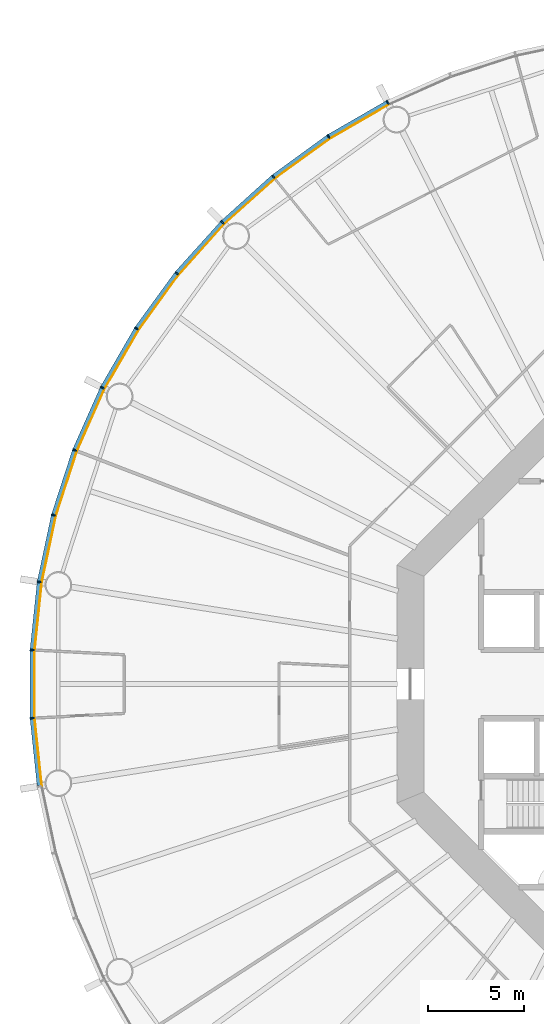
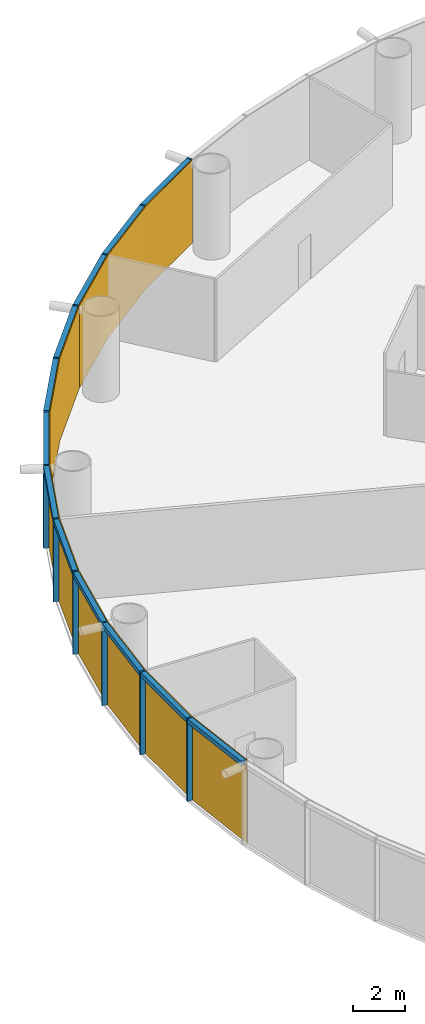
# One storey, part 9 of 13: 24 members, 4 curtain walls.
"""IFC4 building model written with IfcOpenShell, lengths in metres."""

from ifc_helpers import new_model, si_unit, direction, frame, origin, origin_2d, place, context, subcontext, project, spatial, polyline, rectangle, outline, extrude, material, layer, layer_set, material_profile, profile_set, type_object, element, aggregate, save


model = new_model("IFC4")

# Units and contexts
model_context = context("Model", 3, precision=1e-05, world=origin(), true_north=direction((0.0, 1.0)))
body_context = subcontext(model_context, "Body", "Model", "MODEL_VIEW")
ifc_project = project(units=[si_unit("LENGTHUNIT", "METRE"), si_unit("AREAUNIT", "SQUARE_METRE"), si_unit("VOLUMEUNIT", "CUBIC_METRE"), si_unit("PLANEANGLEUNIT", "RADIAN"), si_unit("MASSUNIT", "GRAM", prefix="KILO")], contexts=[model_context])

# Member
ifc_material_1 = material(Name="Anodised aluminium", Category="aluminium")
ifc_material_profile_1 = material_profile(ifc_material_1, rectangle(XDim=0.074951171875, YDim=0.219970703125, at=origin_2d()), Name="Mullion 75 x 220 mm anodised aluminium")
ifc_profile_set_1 = profile_set([ifc_material_profile_1], Name="Anodised aluminium")
member_type_1 = type_object("IfcMemberType", Name="Mullion 75 x 220 mm anodised aluminium", PredefinedType="MULLION", material=ifc_profile_set_1)
site_placement = place(None, origin())
building_placement = place(site_placement, origin())
storey_placement = place(building_placement, frame((0.0, 0.0, 34.0)))
member_1_placement = place(storey_placement, frame((74.514404296875, 110.392333984375, 0.0), z_axis=(0.0, 0.0, 1.0), x_axis=(-0.891006524188, -0.45399049974, 0.0)))
member_1 = element("IfcMember", 1, at=member_1_placement, type_object=member_type_1, Name="MULLION L06-18", PredefinedType="MULLION", context=body_context, shape_type="SweptSolid", body=[
    extrude(rectangle(XDim=0.074951171875, YDim=0.219970703125, at=origin_2d()), origin(), (0.0, 0.0, 1.0), 3.85009765625),
])

member_2_placement = place(storey_placement, frame((71.42236328125, 108.60693359375, 0.0), z_axis=(0.0, 0.0, 1.0), x_axis=(-0.838670567945, -0.544639035015, 0.0)))
member_2 = element("IfcMember", 2, at=member_2_placement, type_object=member_type_1, Name="MULLION L06-19", PredefinedType="MULLION", context=body_context, shape_type="SweptSolid", body=[
    extrude(rectangle(XDim=0.074951171875, YDim=0.219970703125, at=origin_2d()), origin(), (0.0, 0.0, 1.0), 3.85009765625),
])

member_3_placement = place(storey_placement, frame((68.533935546875, 106.508544921875, 0.0), z_axis=(0.0, 0.0, 1.0), x_axis=(-0.777145961457, -0.62932039105, 0.0)))
member_3 = element("IfcMember", 3, at=member_3_placement, type_object=member_type_1, Name="MULLION L06-20", PredefinedType="MULLION", context=body_context, shape_type="SweptSolid", body=[
    extrude(rectangle(XDim=0.074951171875, YDim=0.219970703125, at=origin_2d()), origin(), (0.0, 0.0, 1.0), 3.85009765625),
])

member_4_placement = place(storey_placement, frame((65.880615234375, 104.119384765625, 0.0), z_axis=(0.0, 0.0, 1.0), x_axis=(-0.707106781187, -0.707106781187, 0.0)))
member_4 = element("IfcMember", 4, at=member_4_placement, type_object=member_type_1, Name="MULLION L06-21", PredefinedType="MULLION", context=body_context, shape_type="SweptSolid", body=[
    extrude(rectangle(XDim=0.074951171875, YDim=0.219970703125, at=origin_2d()), origin(), (0.0, 0.0, 1.0), 3.85009765625),
])

member_5_placement = place(storey_placement, frame((63.491455078125, 101.466064453125, 0.0), z_axis=(0.0, 0.0, 1.0), x_axis=(-0.62932039105, -0.777145961457, 0.0)))
member_5 = element("IfcMember", 5, at=member_5_placement, type_object=member_type_1, Name="MULLION L06-22", PredefinedType="MULLION", context=body_context, shape_type="SweptSolid", body=[
    extrude(rectangle(XDim=0.074951171875, YDim=0.219970703125, at=origin_2d()), origin(), (0.0, 0.0, 1.0), 3.85009765625),
])

member_6_placement = place(storey_placement, frame((61.39306640625, 98.57763671875, 0.0), z_axis=(0.0, 0.0, 1.0), x_axis=(-0.544639035015, -0.838670567945, 0.0)))
member_6 = element("IfcMember", 6, at=member_6_placement, type_object=member_type_1, Name="MULLION L06-23", PredefinedType="MULLION", context=body_context, shape_type="SweptSolid", body=[
    extrude(rectangle(XDim=0.074951171875, YDim=0.219970703125, at=origin_2d()), origin(), (0.0, 0.0, 1.0), 3.85009765625),
])

member_7_placement = place(storey_placement, frame((59.607666015625, 95.485595703125, 0.0), z_axis=(0.0, 0.0, 1.0), x_axis=(-0.45399049974, -0.891006524188, 0.0)))
member_7 = element("IfcMember", 7, at=member_7_placement, type_object=member_type_1, Name="MULLION L06-24", PredefinedType="MULLION", context=body_context, shape_type="SweptSolid", body=[
    extrude(rectangle(XDim=0.074951171875, YDim=0.219970703125, at=origin_2d()), origin(), (0.0, 0.0, 1.0), 3.85009765625),
])

member_8_placement = place(storey_placement, frame((58.155517578125, 92.223876953125, 0.0), z_axis=(0.0, 0.0, 1.0), x_axis=(-0.358367949545, -0.933580426497, 0.0)))
member_8 = element("IfcMember", 8, at=member_8_placement, type_object=member_type_1, Name="MULLION L06-25", PredefinedType="MULLION", context=body_context, shape_type="SweptSolid", body=[
    extrude(rectangle(XDim=0.074951171875, YDim=0.219970703125, at=origin_2d()), origin(), (0.0, 0.0, 1.0), 3.85009765625),
])

member_9_placement = place(storey_placement, frame((57.05224609375, 88.828369140625, 0.0), z_axis=(0.0, 0.0, 1.0), x_axis=(-0.258819045103, -0.965925826289, 0.0)))
member_9 = element("IfcMember", 9, at=member_9_placement, type_object=member_type_1, Name="MULLION L06-26", PredefinedType="MULLION", context=body_context, shape_type="SweptSolid", body=[
    extrude(rectangle(XDim=0.074951171875, YDim=0.219970703125, at=origin_2d()), origin(), (0.0, 0.0, 1.0), 3.85009765625),
])

member_10_placement = place(storey_placement, frame((56.31005859375, 85.3359375, 0.0), z_axis=(0.0, 0.0, 1.0), x_axis=(-0.15643446504, -0.987688340595, 0.0)))
member_10 = element("IfcMember", 10, at=member_10_placement, type_object=member_type_1, Name="MULLION L06-27", PredefinedType="MULLION", context=body_context, shape_type="SweptSolid", body=[
    extrude(rectangle(XDim=0.074951171875, YDim=0.219970703125, at=origin_2d()), origin(), (0.0, 0.0, 1.0), 3.85009765625),
])

member_11_placement = place(storey_placement, frame((55.936767578125, 81.78515625, 0.0), z_axis=(0.0, 0.0, 1.0), x_axis=(-0.052335956243, -0.998629534755, 0.0)))
member_11 = element("IfcMember", 11, at=member_11_placement, type_object=member_type_1, Name="MULLION L06-28", PredefinedType="MULLION", context=body_context, shape_type="SweptSolid", body=[
    extrude(rectangle(XDim=0.074951171875, YDim=0.219970703125, at=origin_2d()), origin(), (0.0, 0.0, 1.0), 3.85009765625),
])

member_12_placement = place(storey_placement, frame((55.936767578125, 78.21484375, 0.0), z_axis=(0.0, 0.0, 1.0), x_axis=(0.052335956243, -0.998629534755, 0.0)))
member_12 = element("IfcMember", 12, at=member_12_placement, type_object=member_type_1, Name="MULLION L06-29", PredefinedType="MULLION", context=body_context, shape_type="SweptSolid", body=[
    extrude(rectangle(XDim=0.074951171875, YDim=0.219970703125, at=origin_2d()), origin(), (0.0, 0.0, 1.0), 3.85009765625),
])

ifc_material_2 = material(Name="Anodised aluminium", Category="aluminium")
ifc_material_profile_2 = material_profile(ifc_material_2, rectangle(XDim=0.219970703125, YDim=0.199951171875, at=origin_2d()), Name="Transom 200 x 220 mm anodised aluminium")
ifc_profile_set_2 = profile_set([ifc_material_profile_2], Name="Anodised aluminium")
member_type_2 = type_object("IfcMemberType", Name="Transom 200 x 220 mm anodised aluminium", PredefinedType="USERDEFINED", material=ifc_profile_set_2)
member_13_placement = place(storey_placement, frame((74.476806640625, 110.370849609375, 3.75), z_axis=(-0.866022206254, -0.500005538244, 0.0), x_axis=(0.500005538244, -0.866022206254, 0.0)))
member_13 = element("IfcMember", 13, at=member_13_placement, type_object=member_type_2, Name="TRANSOM L06-18", ObjectType="TRANSOM", PredefinedType="USERDEFINED", context=body_context, shape_type="SweptSolid", body=[
    extrude(rectangle(XDim=0.219970703125, YDim=0.199951171875, at=origin_2d()), origin(), (0.0, 0.0, 1.0), 3.48388671875),
])

member_14_placement = place(storey_placement, frame((71.38720703125, 108.581787109375, 3.75), z_axis=(-0.80899056535, -0.587821627006, 0.0), x_axis=(0.587821627006, -0.80899056535, 0.0)))
member_14 = element("IfcMember", 14, at=member_14_placement, type_object=member_type_2, Name="TRANSOM L06-19", ObjectType="TRANSOM", PredefinedType="USERDEFINED", context=body_context, shape_type="SweptSolid", body=[
    extrude(rectangle(XDim=0.219970703125, YDim=0.199951171875, at=origin_2d()), origin(), (0.0, 0.0, 1.0), 3.48388671875),
])

member_15_placement = place(storey_placement, frame((68.501708984375, 106.479736328125, 3.75), z_axis=(-0.743137329876, -0.669138930974, 0.0), x_axis=(0.669138930974, -0.743137329876, 0.0)))
member_15 = element("IfcMember", 15, at=member_15_placement, type_object=member_type_2, Name="TRANSOM L06-20", ObjectType="TRANSOM", PredefinedType="USERDEFINED", context=body_context, shape_type="SweptSolid", body=[
    extrude(rectangle(XDim=0.219970703125, YDim=0.199951171875, at=origin_2d()), origin(), (0.0, 0.0, 1.0), 3.484130859375),
])

member_16_placement = place(storey_placement, frame((65.8515625, 104.08740234375, 3.75), z_axis=(-0.669138930974, -0.743137329876, 0.0), x_axis=(0.743137329876, -0.669138930974, 0.0)))
member_16 = element("IfcMember", 16, at=member_16_placement, type_object=member_type_2, Name="TRANSOM L06-21", ObjectType="TRANSOM", PredefinedType="USERDEFINED", context=body_context, shape_type="SweptSolid", body=[
    extrude(rectangle(XDim=0.219970703125, YDim=0.199951171875, at=origin_2d()), origin(), (0.0, 0.0, 1.0), 3.484130859375),
])

member_17_placement = place(storey_placement, frame((63.466064453125, 101.43115234375, 3.75), z_axis=(-0.587821627006, -0.80899056535, 0.0), x_axis=(0.80899056535, -0.587821627006, 0.0)))
member_17 = element("IfcMember", 17, at=member_17_placement, type_object=member_type_2, Name="TRANSOM L06-22", ObjectType="TRANSOM", PredefinedType="USERDEFINED", context=body_context, shape_type="SweptSolid", body=[
    extrude(rectangle(XDim=0.219970703125, YDim=0.199951171875, at=origin_2d()), origin(), (0.0, 0.0, 1.0), 3.48388671875),
])

member_18_placement = place(storey_placement, frame((61.37109375, 98.540283203125, 3.75), z_axis=(-0.500005538244, -0.866022206254, 0.0), x_axis=(0.866022206254, -0.500005538244, 0.0)))
member_18 = element("IfcMember", 18, at=member_18_placement, type_object=member_type_2, Name="TRANSOM L06-23", ObjectType="TRANSOM", PredefinedType="USERDEFINED", context=body_context, shape_type="SweptSolid", body=[
    extrude(rectangle(XDim=0.219970703125, YDim=0.199951171875, at=origin_2d()), origin(), (0.0, 0.0, 1.0), 3.48388671875),
])

member_19_placement = place(storey_placement, frame((59.590087890625, 95.446044921875, 3.75), z_axis=(-0.406736576304, -0.913545487371, 0.0), x_axis=(0.913545487371, -0.406736576304, 0.0)))
member_19 = element("IfcMember", 19, at=member_19_placement, type_object=member_type_2, Name="TRANSOM L06-24", ObjectType="TRANSOM", PredefinedType="USERDEFINED", context=body_context, shape_type="SweptSolid", body=[
    extrude(rectangle(XDim=0.219970703125, YDim=0.199951171875, at=origin_2d()), origin(), (0.0, 0.0, 1.0), 3.48388671875),
])

member_20_placement = place(storey_placement, frame((58.14208984375, 92.182861328125, 3.75), z_axis=(-0.309029029702, -0.951052605696, 0.0), x_axis=(0.951052605696, -0.309029029702, 0.0)))
member_20 = element("IfcMember", 20, at=member_20_placement, type_object=member_type_2, Name="TRANSOM L06-25", ObjectType="TRANSOM", PredefinedType="USERDEFINED", context=body_context, shape_type="SweptSolid", body=[
    extrude(rectangle(XDim=0.219970703125, YDim=0.199951171875, at=origin_2d()), origin(), (0.0, 0.0, 1.0), 3.484130859375),
])

member_21_placement = place(storey_placement, frame((57.043212890625, 88.7861328125, 3.75), z_axis=(-0.207920776701, -0.978145669426, 0.0), x_axis=(0.978145669426, -0.207920776701, 0.0)))
member_21 = element("IfcMember", 21, at=member_21_placement, type_object=member_type_2, Name="TRANSOM L06-26", ObjectType="TRANSOM", PredefinedType="USERDEFINED", context=body_context, shape_type="SweptSolid", body=[
    extrude(rectangle(XDim=0.219970703125, YDim=0.199951171875, at=origin_2d()), origin(), (0.0, 0.0, 1.0), 3.48388671875),
])

member_22_placement = place(storey_placement, frame((56.30517578125, 85.29296875, 3.75), z_axis=(-0.104484152234, -0.994526551648, 0.0), x_axis=(0.994526551648, -0.104484152234, 0.0)))
member_22 = element("IfcMember", 22, at=member_22_placement, type_object=member_type_2, Name="TRANSOM L06-27", ObjectType="TRANSOM", PredefinedType="USERDEFINED", context=body_context, shape_type="SweptSolid", body=[
    extrude(rectangle(XDim=0.219970703125, YDim=0.199951171875, at=origin_2d()), origin(), (0.0, 0.0, 1.0), 3.48388671875),
])

member_23_placement = place(storey_placement, frame((55.9365234375, 81.741943359375, 3.75), z_axis=(0.0, -1.0, 0.0), x_axis=(1.0, 0.0, 0.0)))
member_23 = element("IfcMember", 23, at=member_23_placement, type_object=member_type_2, Name="TRANSOM L06-28", ObjectType="TRANSOM", PredefinedType="USERDEFINED", context=body_context, shape_type="SweptSolid", body=[
    extrude(rectangle(XDim=0.219970703125, YDim=0.199951171875, at=origin_2d()), origin(), (0.0, 0.0, 1.0), 3.48388671875),
])

member_24_placement = place(storey_placement, frame((55.941162109375, 78.171875, 3.75), z_axis=(0.104484152234, -0.994526551648, 0.0), x_axis=(0.994526551648, 0.104484152234, 0.0)))
member_24 = element("IfcMember", 24, at=member_24_placement, type_object=member_type_2, Name="TRANSOM L06-29", ObjectType="TRANSOM", PredefinedType="USERDEFINED", context=body_context, shape_type="SweptSolid", body=[
    extrude(rectangle(XDim=0.219970703125, YDim=0.199951171875, at=origin_2d()), origin(), (0.0, 0.0, 1.0), 3.48388671875),
])

# Site, building, storey
site = spatial("IfcSite", under=ifc_project, at=site_placement, CompositionType="ELEMENT")
building = spatial("IfcBuilding", under=site, at=building_placement, Name="Entoto Ring Tower", CompositionType="ELEMENT")
storey = spatial("IfcBuildingStorey", under=building, at=storey_placement, Name="L06", CompositionType="ELEMENT", Elevation=34.0)

# Curtain wall
ifc_material_3 = material(Name="Clear low-iron glass", Category="glass")
ifc_layer = layer(ifc_material_3, 0.0400390625)
ifc_layer_set = layer_set([ifc_layer], Name="Clear low-iron glass")
curtain_wall_type = type_object("IfcCurtainWallType", Name="Curtain wall system CW1 glazing 40 mm", PredefinedType="NOTDEFINED", material=ifc_layer_set)
curtain_wall_1_placement = place(storey_placement, origin())
curtain_wall_1 = element("IfcCurtainWall", 25, at=curtain_wall_1_placement, inside=storey, type_object=curtain_wall_type, Name="CW1 L06-07", PredefinedType="NOTDEFINED", context=body_context, shape_type="SweptSolid", body=[
    extrude(outline(polyline([(74.564208984375, 110.294189453125), (71.482177734375, 108.514892578125), (68.60302734375, 106.4228515625), (65.958251953125, 104.041748046875), (65.986572265625, 104.013427734375), (68.62841796875, 106.391845703125), (71.504150390625, 108.481201171875), (74.58251953125, 110.258544921875), (74.564208984375, 110.294189453125)])), origin(), (0.0, 0.0, 1.0), 3.85009765625),
])

aggregate(curtain_wall_1, [member_1, member_2, member_3, member_13, member_14, member_15])

curtain_wall_2_placement = place(storey_placement, origin())
curtain_wall_2 = element("IfcCurtainWall", 26, at=curtain_wall_2_placement, inside=storey, type_object=curtain_wall_type, Name="CW1 L06-08", PredefinedType="NOTDEFINED", context=body_context, shape_type="SweptSolid", body=[
    extrude(outline(polyline([(65.958251953125, 104.041748046875), (63.5771484375, 101.39697265625), (61.485107421875, 98.517822265625), (59.705810546875, 95.435791015625), (59.741455078125, 95.41748046875), (61.518798828125, 98.495849609375), (63.608154296875, 101.37158203125), (65.986572265625, 104.013427734375), (65.958251953125, 104.041748046875)])), origin(), (0.0, 0.0, 1.0), 3.85009765625),
])

aggregate(curtain_wall_2, [member_4, member_5, member_6, member_16, member_17, member_18])

curtain_wall_3_placement = place(storey_placement, origin())
curtain_wall_3 = element("IfcCurtainWall", 27, at=curtain_wall_3_placement, inside=storey, type_object=curtain_wall_type, Name="CW1 L06-09", PredefinedType="NOTDEFINED", context=body_context, shape_type="SweptSolid", body=[
    extrude(outline(polyline([(59.705810546875, 95.435791015625), (58.25830078125, 92.1845703125), (57.158447265625, 88.7998046875), (56.418701171875, 85.31884765625), (56.458251953125, 85.3125), (57.197265625, 88.78955078125), (58.295654296875, 92.170166015625), (59.741455078125, 95.41748046875), (59.705810546875, 95.435791015625)])), origin(), (0.0, 0.0, 1.0), 3.85009765625),
])

aggregate(curtain_wall_3, [member_7, member_8, member_9, member_19, member_20, member_21])

curtain_wall_4_placement = place(storey_placement, origin())
curtain_wall_4 = element("IfcCurtainWall", 28, at=curtain_wall_4_placement, inside=storey, type_object=curtain_wall_type, Name="CW1 L06-10", PredefinedType="NOTDEFINED", context=body_context, shape_type="SweptSolid", body=[
    extrude(outline(polyline([(56.418701171875, 85.31884765625), (56.046630859375, 81.779541015625), (56.046630859375, 78.220458984375), (56.418701171875, 74.68115234375), (56.458251953125, 74.6875), (56.086669921875, 78.22265625), (56.086669921875, 81.77734375), (56.458251953125, 85.3125), (56.418701171875, 85.31884765625)])), origin(), (0.0, 0.0, 1.0), 3.85009765625),
])

aggregate(curtain_wall_4, [member_10, member_11, member_12, member_22, member_23, member_24])

save(model, "model.ifc")
